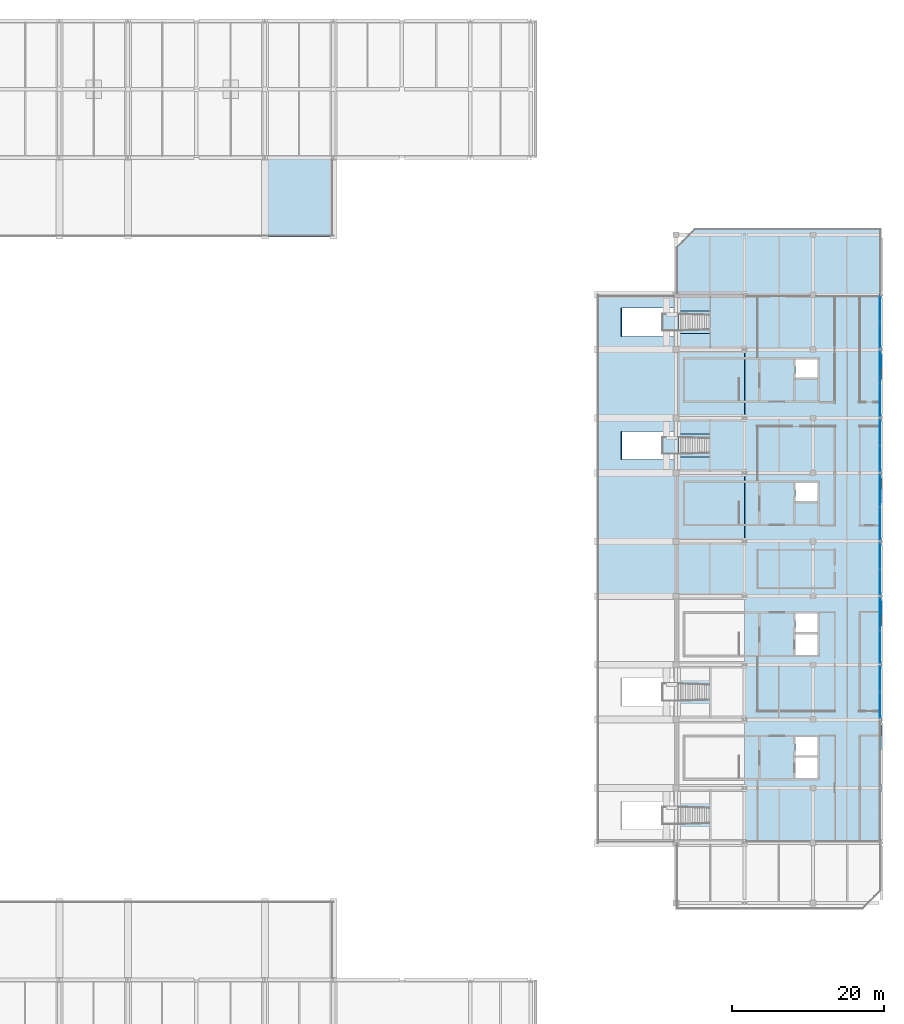
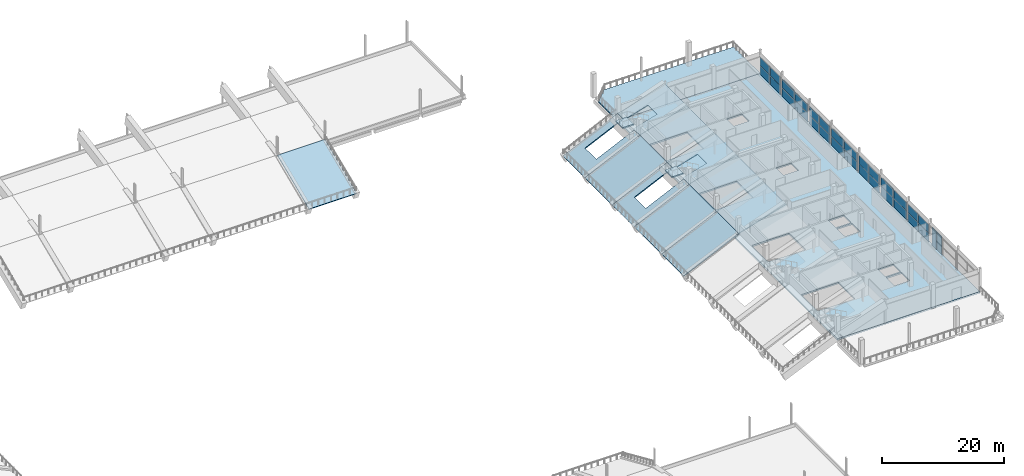
# One storey, part 44 of 66: 36 plates, 15 slabs, 7 elements without a shape of their own.
"""IFC4 building model written with IfcOpenShell, lengths in metres."""

from ifc_helpers import new_model, si_unit, direction, frame, origin, origin_2d, place, context, subcontext, project, spatial, polyline, rectangle, outline, extrude, material, layer, layer_set, type_object, element, aggregate, save


model = new_model("IFC4")

# Units and contexts
model_context = context("Model", 3, precision=1e-05, world=origin(), true_north=direction((0.0, 1.0)))
body_context = subcontext(model_context, "Body", "Model", "MODEL_VIEW")
ifc_project = project(units=[si_unit("LENGTHUNIT", "METRE"), si_unit("AREAUNIT", "SQUARE_METRE"), si_unit("VOLUMEUNIT", "CUBIC_METRE"), si_unit("PLANEANGLEUNIT", "RADIAN"), si_unit("MASSUNIT", "GRAM", prefix="KILO"), si_unit("THERMODYNAMICTEMPERATUREUNIT", "KELVIN"), si_unit("POWERUNIT", "WATT")], contexts=[model_context])

# Site, building, storey
site_placement = place(None, origin())
site = spatial("IfcSite", under=ifc_project, at=site_placement, CompositionType="ELEMENT")
building_placement = place(site_placement, origin())
building = spatial("IfcBuilding", under=site, at=building_placement, Name="Sindhuravela Promenade Stadium", CompositionType="ELEMENT")
storey_placement = place(building_placement, frame((0.0, 0.0, 19.199951171875)))
storey = spatial("IfcBuildingStorey", under=building, at=storey_placement, Name="L04", CompositionType="ELEMENT", Elevation=19.199951171875)

# Plates
ifc_material_1 = material(Name="Perforated terracotta celosia brick (15 MPa)", Category="masonry")
ifc_layer_1 = layer(ifc_material_1, 0.090087890625)
ifc_layer_set_1 = layer_set([ifc_layer_1], Name="Perforated terracotta celosia brick (15 MPa)")
plate_type_1 = type_object("IfcPlateType", Name="CL-SCR-01", PredefinedType="USERDEFINED", material=ifc_layer_set_1)
for number, where, z_axis, x_axis, name in (
    (1, (206.8798828125, 90.4951171875, 0.0), (0.0, 0.0, 1.0), (0.0, -1.0, 0.0), "Perforated brick celosia screen EAST L04-132"),
    (2, (206.8798828125, 58.094970703125, 0.0), (0.0, 0.0, 1.0), (0.0, -1.0, 0.0), "Perforated brick celosia screen EAST L04-136"),
):
    element("IfcPlate", number, at=place(storey_placement, frame(where, z_axis=z_axis, x_axis=x_axis)), inside=storey, type_object=plate_type_1, Name=name, ObjectType="SCREEN PANEL", PredefinedType="USERDEFINED", context=body_context, shape_type="SweptSolid", body=[
        extrude(rectangle(XDim=1.56005859375, YDim=0.090087890625, at=origin_2d()), origin(), (0.0, 0.0, 1.0), 3.580078125),
    ])
ifc_layer_2 = layer(ifc_material_1, 0.114990234375)
ifc_layer_set_2 = layer_set([ifc_layer_2], Name="Perforated terracotta celosia brick (15 MPa)")
plate_type_2 = type_object("IfcPlateType", Name="CL-SCR-02", PredefinedType="USERDEFINED", material=ifc_layer_set_2)
for number, where, z_axis, x_axis, name in (
    (3, (206.8798828125, 108.294921875, 0.0), (0.0, 0.0, 1.0), (0.0, -1.0, 0.0), "Perforated brick celosia screen EAST L04-129"),
    (4, (206.8798828125, 75.89501953125, 0.0), (0.0, 0.0, 1.0), (0.0, -1.0, 0.0), "Perforated brick celosia screen EAST L04-133"),
):
    element("IfcPlate", number, at=place(storey_placement, frame(where, z_axis=z_axis, x_axis=x_axis)), inside=storey, type_object=plate_type_2, Name=name, ObjectType="SCREEN PANEL", PredefinedType="USERDEFINED", context=body_context, shape_type="SweptSolid", body=[
        extrude(rectangle(XDim=1.56005859375, YDim=0.114990234375, at=origin_2d()), origin(), (0.0, 0.0, 1.0), 3.580078125),
    ])
ifc_layer_3 = layer(ifc_material_1, 0.139892578125)
ifc_layer_set_3 = layer_set([ifc_layer_3], Name="Perforated terracotta celosia brick (15 MPa)")
plate_type_3 = type_object("IfcPlateType", Name="CL-SCR-03", PredefinedType="USERDEFINED", material=ifc_layer_set_3)
for number, where, z_axis, x_axis, name in (
    (5, (206.8798828125, 106.695068359375, 0.0), (0.0, 0.0, 1.0), (0.0, -1.0, 0.0), "Perforated brick celosia screen EAST L04-130"),
    (6, (206.8798828125, 74.294921875, 0.0), (0.0, 0.0, 1.0), (0.0, -1.0, 0.0), "Perforated brick celosia screen EAST L04-134"),
):
    element("IfcPlate", number, at=place(storey_placement, frame(where, z_axis=z_axis, x_axis=x_axis)), inside=storey, type_object=plate_type_3, Name=name, ObjectType="SCREEN PANEL", PredefinedType="USERDEFINED", context=body_context, shape_type="SweptSolid", body=[
        extrude(rectangle(XDim=1.56005859375, YDim=0.139892578125, at=origin_2d()), origin(), (0.0, 0.0, 1.0), 3.580078125),
    ])
ifc_layer_4 = layer(ifc_material_1, 0.1650390625)
ifc_layer_set_4 = layer_set([ifc_layer_4], Name="Perforated terracotta celosia brick (15 MPa)")
plate_type_4 = type_object("IfcPlateType", Name="CL-SCR-04", PredefinedType="USERDEFINED", material=ifc_layer_set_4)
for number, where, z_axis, x_axis, name in (
    (7, (206.8798828125, 92.094970703125, 0.0), (0.0, 0.0, 1.0), (0.0, -1.0, 0.0), "Perforated brick celosia screen EAST L04-131"),
    (8, (206.8798828125, 59.695068359375, 0.0), (0.0, 0.0, 1.0), (0.0, -1.0, 0.0), "Perforated brick celosia screen EAST L04-135"),
):
    element("IfcPlate", number, at=place(storey_placement, frame(where, z_axis=z_axis, x_axis=x_axis)), inside=storey, type_object=plate_type_4, Name=name, ObjectType="SCREEN PANEL", PredefinedType="USERDEFINED", context=body_context, shape_type="SweptSolid", body=[
        extrude(rectangle(XDim=1.56005859375, YDim=0.1650390625, at=origin_2d()), origin(), (0.0, 0.0, 1.0), 3.580078125),
    ])

# Curtain wall, plates
ifc_material_2 = material(Name="Anodised architectural aluminium 6063-T6", Category="aluminium")
curtain_wall_type_1 = type_object("IfcCurtainWallType", Name="CW-MOD-3", PredefinedType="NOTDEFINED", material=ifc_material_2)
curtain_wall_1_placement = place(storey_placement, origin())
curtain_wall_1 = element("IfcCurtainWall", 9, at=curtain_wall_1_placement, inside=storey, type_object=curtain_wall_type_1, Name="Bronze curtain wall CW-EAST-L04-130", PredefinedType="NOTDEFINED")
ifc_material_3 = material(Name="Tempered laminated low-E glass", Category="glass")
ifc_layer_5 = layer(ifc_material_3, 0.028076171875)
ifc_layer_set_5 = layer_set([ifc_layer_5], Name="Tempered laminated low-E glass")
plate_type_5 = type_object("IfcPlateType", Name="CW-PNL-01", PredefinedType="CURTAIN_PANEL", material=ifc_layer_set_5)
plate_1_placement = place(storey_placement, frame((206.800048828125, 107.449951171875, 0.01513671875), z_axis=(0.0, 0.0, 1.0), x_axis=(0.0, -1.0, 0.0)))
plate_1 = element("IfcPlate", 10, at=plate_1_placement, type_object=plate_type_5, Name="Glazed curtain panel CW-EAST-L04-130-P1.1", PredefinedType="CURTAIN_PANEL", context=body_context, shape_type="SweptSolid", body=[
    extrude(rectangle(XDim=4.239990234375, YDim=0.028076171875, at=origin_2d()), origin(), (0.0, 0.0, 1.0), 1.760009765625),
])
plate_2_placement = place(storey_placement, frame((206.800048828125, 107.449951171875, 1.80517578125), z_axis=(0.0, 0.0, 1.0), x_axis=(0.0, -1.0, 0.0)))
plate_2 = element("IfcPlate", 11, at=plate_2_placement, type_object=plate_type_5, Name="Glazed curtain panel CW-EAST-L04-130-P1.2", PredefinedType="CURTAIN_PANEL", context=body_context, shape_type="SweptSolid", body=[
    extrude(rectangle(XDim=4.239990234375, YDim=0.028076171875, at=origin_2d()), origin(), (0.0, 0.0, 1.0), 1.679931640625),
])
plate_3_placement = place(storey_placement, frame((206.800048828125, 103.14990234375, 0.01513671875), z_axis=(0.0, 0.0, 1.0), x_axis=(0.0, -1.0, 0.0)))
plate_3 = element("IfcPlate", 12, at=plate_3_placement, type_object=plate_type_5, Name="Glazed curtain panel CW-EAST-L04-130-P2.1", PredefinedType="CURTAIN_PANEL", context=body_context, shape_type="SweptSolid", body=[
    extrude(rectangle(XDim=4.239990234375, YDim=0.028076171875, at=origin_2d()), origin(), (0.0, 0.0, 1.0), 1.760009765625),
])
plate_4_placement = place(storey_placement, frame((206.800048828125, 103.14990234375, 1.80517578125), z_axis=(0.0, 0.0, 1.0), x_axis=(0.0, -1.0, 0.0)))
plate_4 = element("IfcPlate", 13, at=plate_4_placement, type_object=plate_type_5, Name="Glazed curtain panel CW-EAST-L04-130-P2.2", PredefinedType="CURTAIN_PANEL", context=body_context, shape_type="SweptSolid", body=[
    extrude(rectangle(XDim=4.239990234375, YDim=0.028076171875, at=origin_2d()), origin(), (0.0, 0.0, 1.0), 1.679931640625),
])
aggregate(curtain_wall_1, [plate_1, plate_2, plate_3, plate_4])

curtain_wall_type_2 = type_object("IfcCurtainWallType", Name="CW-MOD-5", PredefinedType="NOTDEFINED", material=ifc_material_2)
curtain_wall_2_placement = place(storey_placement, origin())
curtain_wall_2 = element("IfcCurtainWall", 14, at=curtain_wall_2_placement, inside=storey, type_object=curtain_wall_type_2, Name="Bronze curtain wall CW-EAST-L04-132", PredefinedType="NOTDEFINED")
plate_5_placement = place(storey_placement, frame((206.800048828125, 91.25, 0.01513671875), z_axis=(0.0, 0.0, 1.0), x_axis=(0.0, -1.0, 0.0)))
plate_5 = element("IfcPlate", 15, at=plate_5_placement, type_object=plate_type_5, Name="Glazed curtain panel CW-EAST-L04-132-P1.1", PredefinedType="CURTAIN_PANEL", context=body_context, shape_type="SweptSolid", body=[
    extrude(rectangle(XDim=4.239990234375, YDim=0.028076171875, at=origin_2d()), origin(), (0.0, 0.0, 1.0), 1.760009765625),
])
plate_6_placement = place(storey_placement, frame((206.800048828125, 91.25, 1.80517578125), z_axis=(0.0, 0.0, 1.0), x_axis=(0.0, -1.0, 0.0)))
plate_6 = element("IfcPlate", 16, at=plate_6_placement, type_object=plate_type_5, Name="Glazed curtain panel CW-EAST-L04-132-P1.2", PredefinedType="CURTAIN_PANEL", context=body_context, shape_type="SweptSolid", body=[
    extrude(rectangle(XDim=4.239990234375, YDim=0.028076171875, at=origin_2d()), origin(), (0.0, 0.0, 1.0), 1.679931640625),
])
plate_7_placement = place(storey_placement, frame((206.800048828125, 86.949951171875, 0.01513671875), z_axis=(0.0, 0.0, 1.0), x_axis=(0.0, -1.0, 0.0)))
plate_7 = element("IfcPlate", 17, at=plate_7_placement, type_object=plate_type_5, Name="Glazed curtain panel CW-EAST-L04-132-P2.1", PredefinedType="CURTAIN_PANEL", context=body_context, shape_type="SweptSolid", body=[
    extrude(rectangle(XDim=4.239990234375, YDim=0.028076171875, at=origin_2d()), origin(), (0.0, 0.0, 1.0), 1.760009765625),
])
plate_8_placement = place(storey_placement, frame((206.800048828125, 86.949951171875, 1.80517578125), z_axis=(0.0, 0.0, 1.0), x_axis=(0.0, -1.0, 0.0)))
plate_8 = element("IfcPlate", 18, at=plate_8_placement, type_object=plate_type_5, Name="Glazed curtain panel CW-EAST-L04-132-P2.2", PredefinedType="CURTAIN_PANEL", context=body_context, shape_type="SweptSolid", body=[
    extrude(rectangle(XDim=4.239990234375, YDim=0.028076171875, at=origin_2d()), origin(), (0.0, 0.0, 1.0), 1.679931640625),
])
aggregate(curtain_wall_2, [plate_5, plate_6, plate_7, plate_8])

curtain_wall_type_3 = type_object("IfcCurtainWallType", Name="CW-MOD-7", PredefinedType="NOTDEFINED", material=ifc_material_2)
curtain_wall_3_placement = place(storey_placement, origin())
curtain_wall_3 = element("IfcCurtainWall", 19, at=curtain_wall_3_placement, inside=storey, type_object=curtain_wall_type_3, Name="Bronze curtain wall CW-EAST-L04-134", PredefinedType="NOTDEFINED")
plate_9_placement = place(storey_placement, frame((206.800048828125, 75.050048828125, 0.01513671875), z_axis=(0.0, 0.0, 1.0), x_axis=(0.0, -1.0, 0.0)))
plate_9 = element("IfcPlate", 20, at=plate_9_placement, type_object=plate_type_5, Name="Glazed curtain panel CW-EAST-L04-134-P1.1", PredefinedType="CURTAIN_PANEL", context=body_context, shape_type="SweptSolid", body=[
    extrude(rectangle(XDim=4.239990234375, YDim=0.028076171875, at=origin_2d()), origin(), (0.0, 0.0, 1.0), 1.760009765625),
])
plate_10_placement = place(storey_placement, frame((206.800048828125, 75.050048828125, 1.80517578125), z_axis=(0.0, 0.0, 1.0), x_axis=(0.0, -1.0, 0.0)))
plate_10 = element("IfcPlate", 21, at=plate_10_placement, type_object=plate_type_5, Name="Glazed curtain panel CW-EAST-L04-134-P1.2", PredefinedType="CURTAIN_PANEL", context=body_context, shape_type="SweptSolid", body=[
    extrude(rectangle(XDim=4.239990234375, YDim=0.028076171875, at=origin_2d()), origin(), (0.0, 0.0, 1.0), 1.679931640625),
])
plate_11_placement = place(storey_placement, frame((206.800048828125, 70.75, 0.01513671875), z_axis=(0.0, 0.0, 1.0), x_axis=(0.0, -1.0, 0.0)))
plate_11 = element("IfcPlate", 22, at=plate_11_placement, type_object=plate_type_5, Name="Glazed curtain panel CW-EAST-L04-134-P2.1", PredefinedType="CURTAIN_PANEL", context=body_context, shape_type="SweptSolid", body=[
    extrude(rectangle(XDim=4.239990234375, YDim=0.028076171875, at=origin_2d()), origin(), (0.0, 0.0, 1.0), 1.760009765625),
])
plate_12_placement = place(storey_placement, frame((206.800048828125, 70.75, 1.80517578125), z_axis=(0.0, 0.0, 1.0), x_axis=(0.0, -1.0, 0.0)))
plate_12 = element("IfcPlate", 23, at=plate_12_placement, type_object=plate_type_5, Name="Glazed curtain panel CW-EAST-L04-134-P2.2", PredefinedType="CURTAIN_PANEL", context=body_context, shape_type="SweptSolid", body=[
    extrude(rectangle(XDim=4.239990234375, YDim=0.028076171875, at=origin_2d()), origin(), (0.0, 0.0, 1.0), 1.679931640625),
])
aggregate(curtain_wall_3, [plate_9, plate_10, plate_11, plate_12])

curtain_wall_type_4 = type_object("IfcCurtainWallType", Name="CW-MOD-2", PredefinedType="NOTDEFINED", material=ifc_material_2)
curtain_wall_4_placement = place(storey_placement, origin())
curtain_wall_4 = element("IfcCurtainWall", 24, at=curtain_wall_4_placement, inside=storey, type_object=curtain_wall_type_4, Name="Bronze curtain wall CW-EAST-L04-129", PredefinedType="NOTDEFINED")
ifc_layer_6 = layer(ifc_material_3, 0.0400390625)
ifc_layer_set_6 = layer_set([ifc_layer_6], Name="Tempered laminated low-E glass")
plate_type_6 = type_object("IfcPlateType", Name="CW-PNL-02", PredefinedType="CURTAIN_PANEL", material=ifc_layer_set_6)
plate_13_placement = place(storey_placement, frame((206.800048828125, 115.066162109375, 0.01513671875), z_axis=(0.0, 0.0, 1.0), x_axis=(0.0, -1.0, 0.0)))
plate_13 = element("IfcPlate", 25, at=plate_13_placement, type_object=plate_type_6, Name="Glazed curtain panel CW-EAST-L04-129-P1.1", PredefinedType="CURTAIN_PANEL", context=body_context, shape_type="SweptSolid", body=[
    extrude(rectangle(XDim=3.31689453125, YDim=0.0400390625, at=origin_2d()), origin(), (0.0, 0.0, 1.0), 1.760009765625),
])
plate_14_placement = place(storey_placement, frame((206.800048828125, 115.066162109375, 1.80517578125), z_axis=(0.0, 0.0, 1.0), x_axis=(0.0, -1.0, 0.0)))
plate_14 = element("IfcPlate", 26, at=plate_14_placement, type_object=plate_type_6, Name="Glazed curtain panel CW-EAST-L04-129-P1.2", PredefinedType="CURTAIN_PANEL", context=body_context, shape_type="SweptSolid", body=[
    extrude(rectangle(XDim=3.31689453125, YDim=0.0400390625, at=origin_2d()), origin(), (0.0, 0.0, 1.0), 1.679931640625),
])
plate_15_placement = place(storey_placement, frame((206.800048828125, 111.688720703125, 0.01513671875), z_axis=(0.0, 0.0, 1.0), x_axis=(0.0, -1.0, 0.0)))
plate_15 = element("IfcPlate", 27, at=plate_15_placement, type_object=plate_type_6, Name="Glazed curtain panel CW-EAST-L04-129-P2.1", PredefinedType="CURTAIN_PANEL", context=body_context, shape_type="SweptSolid", body=[
    extrude(rectangle(XDim=3.31689453125, YDim=0.0400390625, at=origin_2d()), origin(), (0.0, 0.0, 1.0), 1.760009765625),
])
plate_16_placement = place(storey_placement, frame((206.800048828125, 111.688720703125, 1.80517578125), z_axis=(0.0, 0.0, 1.0), x_axis=(0.0, -1.0, 0.0)))
plate_16 = element("IfcPlate", 28, at=plate_16_placement, type_object=plate_type_6, Name="Glazed curtain panel CW-EAST-L04-129-P2.2", PredefinedType="CURTAIN_PANEL", context=body_context, shape_type="SweptSolid", body=[
    extrude(rectangle(XDim=3.31689453125, YDim=0.0400390625, at=origin_2d()), origin(), (0.0, 0.0, 1.0), 1.679931640625),
])
aggregate(curtain_wall_4, [plate_13, plate_14, plate_15, plate_16])

curtain_wall_type_5 = type_object("IfcCurtainWallType", Name="CW-MOD-4", PredefinedType="NOTDEFINED", material=ifc_material_2)
curtain_wall_5_placement = place(storey_placement, origin())
curtain_wall_5 = element("IfcCurtainWall", 29, at=curtain_wall_5_placement, inside=storey, type_object=curtain_wall_type_5, Name="Bronze curtain wall CW-EAST-L04-131", PredefinedType="NOTDEFINED")
plate_17_placement = place(storey_placement, frame((206.800048828125, 98.89990234375, 0.01513671875), z_axis=(0.0, 0.0, 1.0), x_axis=(0.0, -1.0, 0.0)))
plate_17 = element("IfcPlate", 30, at=plate_17_placement, type_object=plate_type_6, Name="Glazed curtain panel CW-EAST-L04-131-P1.1", PredefinedType="CURTAIN_PANEL", context=body_context, shape_type="SweptSolid", body=[
    extrude(rectangle(XDim=3.340087890625, YDim=0.0400390625, at=origin_2d()), origin(), (0.0, 0.0, 1.0), 1.760009765625),
])
plate_18_placement = place(storey_placement, frame((206.800048828125, 98.89990234375, 1.80517578125), z_axis=(0.0, 0.0, 1.0), x_axis=(0.0, -1.0, 0.0)))
plate_18 = element("IfcPlate", 31, at=plate_18_placement, type_object=plate_type_6, Name="Glazed curtain panel CW-EAST-L04-131-P1.2", PredefinedType="CURTAIN_PANEL", context=body_context, shape_type="SweptSolid", body=[
    extrude(rectangle(XDim=3.340087890625, YDim=0.0400390625, at=origin_2d()), origin(), (0.0, 0.0, 1.0), 1.679931640625),
])
plate_19_placement = place(storey_placement, frame((206.800048828125, 95.5, 0.01513671875), z_axis=(0.0, 0.0, 1.0), x_axis=(0.0, -1.0, 0.0)))
plate_19 = element("IfcPlate", 32, at=plate_19_placement, type_object=plate_type_6, Name="Glazed curtain panel CW-EAST-L04-131-P2.1", PredefinedType="CURTAIN_PANEL", context=body_context, shape_type="SweptSolid", body=[
    extrude(rectangle(XDim=3.340087890625, YDim=0.0400390625, at=origin_2d()), origin(), (0.0, 0.0, 1.0), 1.760009765625),
])
plate_20_placement = place(storey_placement, frame((206.800048828125, 95.5, 1.80517578125), z_axis=(0.0, 0.0, 1.0), x_axis=(0.0, -1.0, 0.0)))
plate_20 = element("IfcPlate", 33, at=plate_20_placement, type_object=plate_type_6, Name="Glazed curtain panel CW-EAST-L04-131-P2.2", PredefinedType="CURTAIN_PANEL", context=body_context, shape_type="SweptSolid", body=[
    extrude(rectangle(XDim=3.340087890625, YDim=0.0400390625, at=origin_2d()), origin(), (0.0, 0.0, 1.0), 1.679931640625),
])
aggregate(curtain_wall_5, [plate_17, plate_18, plate_19, plate_20])

curtain_wall_type_6 = type_object("IfcCurtainWallType", Name="CW-MOD-6", PredefinedType="NOTDEFINED", material=ifc_material_2)
curtain_wall_6_placement = place(storey_placement, origin())
curtain_wall_6 = element("IfcCurtainWall", 34, at=curtain_wall_6_placement, inside=storey, type_object=curtain_wall_type_6, Name="Bronze curtain wall CW-EAST-L04-133", PredefinedType="NOTDEFINED")
plate_21_placement = place(storey_placement, frame((206.800048828125, 82.699951171875, 0.01513671875), z_axis=(0.0, 0.0, 1.0), x_axis=(0.0, -1.0, 0.0)))
plate_21 = element("IfcPlate", 35, at=plate_21_placement, type_object=plate_type_6, Name="Glazed curtain panel CW-EAST-L04-133-P1.1", PredefinedType="CURTAIN_PANEL", context=body_context, shape_type="SweptSolid", body=[
    extrude(rectangle(XDim=3.340087890625, YDim=0.0400390625, at=origin_2d()), origin(), (0.0, 0.0, 1.0), 1.760009765625),
])
plate_22_placement = place(storey_placement, frame((206.800048828125, 82.699951171875, 1.80517578125), z_axis=(0.0, 0.0, 1.0), x_axis=(0.0, -1.0, 0.0)))
plate_22 = element("IfcPlate", 36, at=plate_22_placement, type_object=plate_type_6, Name="Glazed curtain panel CW-EAST-L04-133-P1.2", PredefinedType="CURTAIN_PANEL", context=body_context, shape_type="SweptSolid", body=[
    extrude(rectangle(XDim=3.340087890625, YDim=0.0400390625, at=origin_2d()), origin(), (0.0, 0.0, 1.0), 1.679931640625),
])
plate_23_placement = place(storey_placement, frame((206.800048828125, 79.300048828125, 0.01513671875), z_axis=(0.0, 0.0, 1.0), x_axis=(0.0, -1.0, 0.0)))
plate_23 = element("IfcPlate", 37, at=plate_23_placement, type_object=plate_type_6, Name="Glazed curtain panel CW-EAST-L04-133-P2.1", PredefinedType="CURTAIN_PANEL", context=body_context, shape_type="SweptSolid", body=[
    extrude(rectangle(XDim=3.340087890625, YDim=0.0400390625, at=origin_2d()), origin(), (0.0, 0.0, 1.0), 1.760009765625),
])
plate_24_placement = place(storey_placement, frame((206.800048828125, 79.300048828125, 1.80517578125), z_axis=(0.0, 0.0, 1.0), x_axis=(0.0, -1.0, 0.0)))
plate_24 = element("IfcPlate", 38, at=plate_24_placement, type_object=plate_type_6, Name="Glazed curtain panel CW-EAST-L04-133-P2.2", PredefinedType="CURTAIN_PANEL", context=body_context, shape_type="SweptSolid", body=[
    extrude(rectangle(XDim=3.340087890625, YDim=0.0400390625, at=origin_2d()), origin(), (0.0, 0.0, 1.0), 1.679931640625),
])
aggregate(curtain_wall_6, [plate_21, plate_22, plate_23, plate_24])

curtain_wall_type_7 = type_object("IfcCurtainWallType", Name="CW-MOD-8", PredefinedType="NOTDEFINED", material=ifc_material_2)
curtain_wall_7_placement = place(storey_placement, origin())
curtain_wall_7 = element("IfcCurtainWall", 39, at=curtain_wall_7_placement, inside=storey, type_object=curtain_wall_type_7, Name="Bronze curtain wall CW-EAST-L04-135", PredefinedType="NOTDEFINED")
plate_25_placement = place(storey_placement, frame((206.800048828125, 66.5, 0.01513671875), z_axis=(0.0, 0.0, 1.0), x_axis=(0.0, -1.0, 0.0)))
plate_25 = element("IfcPlate", 40, at=plate_25_placement, type_object=plate_type_6, Name="Glazed curtain panel CW-EAST-L04-135-P1.1", PredefinedType="CURTAIN_PANEL", context=body_context, shape_type="SweptSolid", body=[
    extrude(rectangle(XDim=3.340087890625, YDim=0.0400390625, at=origin_2d()), origin(), (0.0, 0.0, 1.0), 1.760009765625),
])
plate_26_placement = place(storey_placement, frame((206.800048828125, 66.5, 1.80517578125), z_axis=(0.0, 0.0, 1.0), x_axis=(0.0, -1.0, 0.0)))
plate_26 = element("IfcPlate", 41, at=plate_26_placement, type_object=plate_type_6, Name="Glazed curtain panel CW-EAST-L04-135-P1.2", PredefinedType="CURTAIN_PANEL", context=body_context, shape_type="SweptSolid", body=[
    extrude(rectangle(XDim=3.340087890625, YDim=0.0400390625, at=origin_2d()), origin(), (0.0, 0.0, 1.0), 1.679931640625),
])
plate_27_placement = place(storey_placement, frame((206.800048828125, 63.10009765625, 0.01513671875), z_axis=(0.0, 0.0, 1.0), x_axis=(0.0, -1.0, 0.0)))
plate_27 = element("IfcPlate", 42, at=plate_27_placement, type_object=plate_type_6, Name="Glazed curtain panel CW-EAST-L04-135-P2.1", PredefinedType="CURTAIN_PANEL", context=body_context, shape_type="SweptSolid", body=[
    extrude(rectangle(XDim=3.340087890625, YDim=0.0400390625, at=origin_2d()), origin(), (0.0, 0.0, 1.0), 1.760009765625),
])
plate_28_placement = place(storey_placement, frame((206.800048828125, 63.10009765625, 1.80517578125), z_axis=(0.0, 0.0, 1.0), x_axis=(0.0, -1.0, 0.0)))
plate_28 = element("IfcPlate", 43, at=plate_28_placement, type_object=plate_type_6, Name="Glazed curtain panel CW-EAST-L04-135-P2.2", PredefinedType="CURTAIN_PANEL", context=body_context, shape_type="SweptSolid", body=[
    extrude(rectangle(XDim=3.340087890625, YDim=0.0400390625, at=origin_2d()), origin(), (0.0, 0.0, 1.0), 1.679931640625),
])
aggregate(curtain_wall_7, [plate_25, plate_26, plate_27, plate_28])

# Slabs
ifc_material_4 = material(Name="Concrete M40", Category="concrete")
ifc_layer_7 = layer(ifc_material_4, 0.25)
ifc_layer_set_7 = layer_set([ifc_layer_7], Name="Concrete M40")
slab_type_1 = type_object("IfcSlabType", Name="SL-FLR-250", PredefinedType="FLOOR", material=ifc_layer_set_7)
slab_1_placement = place(storey_placement, frame((0.0, 0.0, 1.85009765625)))
element("IfcSlab", 44, at=slab_1_placement, inside=storey, type_object=slab_type_1, Name="Vomitory VS16 tier landing slab", PredefinedType="FLOOR", context=body_context, shape_type="SweptSolid", body=[
    extrude(outline(polyline([(180.320556640625, 98.3701171875), (178.169921875, 98.3701171875), (178.169921875, 96.030029296875), (180.320556640625, 96.030029296875), (180.320556640625, 98.3701171875)])), origin(), (0.0, 0.0, 1.0), 0.25),
])
slab_2_placement = place(storey_placement, frame((0.0, 0.0, 1.85009765625)))
element("IfcSlab", 45, at=slab_2_placement, inside=storey, type_object=slab_type_1, Name="Vomitory CS04 tier landing slab", PredefinedType="FLOOR", context=body_context, shape_type="SweptSolid", body=[
    extrude(outline(polyline([(180.320556640625, 114.570068359375), (178.169921875, 114.570068359375), (178.169921875, 112.22998046875), (180.320556640625, 112.22998046875), (180.320556640625, 114.570068359375)])), origin(), (0.0, 0.0, 1.0), 0.25),
])
ifc_layer_8 = layer(ifc_material_4, 0.320068359375)
ifc_layer_set_8 = layer_set([ifc_layer_8], Name="Concrete M40")
slab_type_2 = type_object("IfcSlabType", Name="SL-FLR-320", PredefinedType="FLOOR", material=ifc_layer_set_8)
slab_3_placement = place(storey_placement, frame((0.0, 0.0, -0.320068359375)))
element("IfcSlab", 46, at=slab_3_placement, inside=storey, type_object=slab_type_2, Name="Floor slab EAST L04", PredefinedType="FLOOR", context=body_context, shape_type="SweptSolid", body=[
    extrude(outline(polyline([(180.0, 45.0), (207.0, 45.0), (207.0, 117.0), (180.0, 117.0), (180.0, 45.0)]), holes=[polyline([(181.199951171875, 53.5), (188.249267578125, 53.5), (188.249267578125, 58.89990234375), (181.199951171875, 58.89990234375), (181.199951171875, 53.5)]), polyline([(195.699951171875, 56.5), (198.60009765625, 56.5), (198.60009765625, 58.89990234375), (195.699951171875, 58.89990234375), (195.699951171875, 56.5)]), polyline([(195.699951171875, 53.5), (198.60009765625, 53.5), (198.60009765625, 56.199951171875), (195.699951171875, 56.199951171875), (195.699951171875, 53.5)]), polyline([(181.199951171875, 69.699951171875), (188.249267578125, 69.699951171875), (188.249267578125, 75.10009765625), (181.199951171875, 75.10009765625), (181.199951171875, 69.699951171875)]), polyline([(195.699951171875, 72.699951171875), (198.60009765625, 72.699951171875), (198.60009765625, 75.10009765625), (195.699951171875, 75.10009765625), (195.699951171875, 72.699951171875)]), polyline([(195.699951171875, 69.699951171875), (198.60009765625, 69.699951171875), (198.60009765625, 72.39990234375), (195.699951171875, 72.39990234375), (195.699951171875, 69.699951171875)]), polyline([(181.199951171875, 86.89990234375), (188.249267578125, 86.89990234375), (188.249267578125, 92.300048828125), (181.199951171875, 92.300048828125), (181.199951171875, 86.89990234375)]), polyline([(195.699951171875, 89.89990234375), (198.60009765625, 89.89990234375), (198.60009765625, 92.300048828125), (195.699951171875, 92.300048828125), (195.699951171875, 89.89990234375)]), polyline([(181.199951171875, 103.10009765625), (188.249267578125, 103.10009765625), (188.249267578125, 108.5), (181.199951171875, 108.5), (181.199951171875, 103.10009765625)]), polyline([(195.699951171875, 106.10009765625), (198.60009765625, 106.10009765625), (198.60009765625, 108.5), (195.699951171875, 108.5), (195.699951171875, 106.10009765625)])]), origin(), (0.0, 0.0, 1.0), 0.320068359375),
])
ifc_layer_9 = layer(ifc_material_4, 0.27001953125)
ifc_layer_set_9 = layer_set([ifc_layer_9], Name="Concrete M40")
slab_type_3 = type_object("IfcSlabType", Name="SL-TER-270", PredefinedType="FLOOR", material=ifc_layer_set_9)
slab_4_placement = place(storey_placement, frame((0.0, 0.0, -0.27001953125)))
element("IfcSlab", 47, at=slab_4_placement, inside=storey, type_object=slab_type_3, Name="East Upper North Planted Roof Garden", PredefinedType="FLOOR", context=body_context, shape_type="SweptSolid", body=[
    extrude(outline(polyline([(180.0, 117.0), (207.0, 117.0), (207.0, 125.75), (182.449951171875, 125.75), (180.0, 123.300048828125), (180.0, 117.0)])), origin(), (0.0, 0.0, 1.0), 0.27001953125),
])
ifc_material_5 = material(Name="Precast concrete M50", Category="concrete")
ifc_layer_10 = layer(ifc_material_5, 0.159912109375)
ifc_layer_set_10 = layer_set([ifc_layer_10], Name="Precast concrete M50")
slab_type_4 = type_object("IfcSlabType", Name="SL-TR2-160", PredefinedType="USERDEFINED", material=ifc_layer_set_10)
slab_5_placement = place(storey_placement, frame((180.0, 84.60009765625, 1.449951171875), z_axis=(-0.2873669552676956, 0.0, 0.9578205641038274), x_axis=(0.0, -1.0, 0.0)))
element("IfcSlab", 48, at=slab_5_placement, inside=storey, type_object=slab_type_4, Name="Stand upper tier East rear bay 39", ObjectType="SEATING TIER", PredefinedType="USERDEFINED", context=body_context, shape_type="SweptSolid", body=[
    extrude(outline(polyline([(0.0, 0.0), (7.2001953125, 0.0), (7.2001953125, 9.396331982515676), (0.0, 9.396331982515676), (0.0, 0.0)])), origin(), (0.0, 0.0, -1.0), 0.159912109375),
])
slab_6_placement = place(storey_placement, frame((180.0, 93.60009765625, 1.449951171875), z_axis=(-0.2873669552676956, 0.0, 0.9578205641038274), x_axis=(0.0, -1.0, 0.0)))
element("IfcSlab", 49, at=slab_6_placement, inside=storey, type_object=slab_type_4, Name="Stand upper tier East rear bay 40", ObjectType="SEATING TIER", PredefinedType="USERDEFINED", context=body_context, shape_type="SweptSolid", body=[
    extrude(outline(polyline([(0.0, 0.0), (9.0, 0.0), (9.0, 9.396331982515676), (0.0, 9.396331982515676), (0.0, 0.0)])), origin(), (0.0, 0.0, -1.0), 0.159912109375),
])
slab_7_placement = place(storey_placement, frame((180.0, 100.800048828125, 1.449951171875), z_axis=(-0.2873669552676956, 0.0, 0.9578205641038275), x_axis=(0.0, -1.0, 0.0)))
element("IfcSlab", 50, at=slab_7_placement, inside=storey, type_object=slab_type_4, Name="Stand upper tier East rear bay 41", ObjectType="SEATING TIER", PredefinedType="USERDEFINED", context=body_context, shape_type="SweptSolid", body=[
    extrude(outline(polyline([(0.0, 0.0), (2.1201171875, 0.0), (2.1201171875, 4.698165991257838), (5.080078125, 4.698165991257838), (5.080078125, 0.0), (7.199951171875, 0.0), (7.199951171875, 9.396331982515676), (0.0, 9.396331982515676), (0.0, 0.0)])), origin(), (0.0, 0.0, -1.0), 0.159912109375),
])
slab_8_placement = place(storey_placement, frame((180.0, 109.800048828125, 1.449951171875), z_axis=(-0.2873669552676956, 0.0, 0.9578205641038274), x_axis=(0.0, -1.0, 0.0)))
element("IfcSlab", 51, at=slab_8_placement, inside=storey, type_object=slab_type_4, Name="Stand upper tier East rear bay 42", ObjectType="SEATING TIER", PredefinedType="USERDEFINED", context=body_context, shape_type="SweptSolid", body=[
    extrude(outline(polyline([(0.0, 0.0), (9.0, 0.0), (9.0, 9.396331982515676), (0.0, 9.396331982515676), (0.0, 0.0)])), origin(), (0.0, 0.0, -1.0), 0.159912109375),
])
slab_9_placement = place(storey_placement, frame((180.0, 117.0, 1.449951171875), z_axis=(-0.2873669552676956, 0.0, 0.9578205641038275), x_axis=(0.0, -1.0, 0.0)))
element("IfcSlab", 52, at=slab_9_placement, inside=storey, type_object=slab_type_4, Name="Stand upper tier East rear bay 43", ObjectType="SEATING TIER", PredefinedType="USERDEFINED", context=body_context, shape_type="SweptSolid", body=[
    extrude(outline(polyline([(0.0, 0.0), (2.1201171875, 0.0), (2.1201171875, 4.698165991257838), (5.080078125, 4.698165991257838), (5.080078125, 0.0), (7.199951171875, 0.0), (7.199951171875, 9.396331982515676), (0.0, 9.396331982515676), (0.0, 0.0)])), origin(), (0.0, 0.0, -1.0), 0.159912109375),
])
ifc_layer_11 = layer(ifc_material_5, 0.199951171875)
ifc_layer_set_11 = layer_set([ifc_layer_11], Name="Precast concrete M50")
slab_type_5 = type_object("IfcSlabType", Name="SL-TR2-200", PredefinedType="USERDEFINED", material=ifc_layer_set_11)
slab_10_placement = place(storey_placement, frame((169.60009765625, 84.60009765625, -3.39990234375), z_axis=(-0.42263969336375157, 0.0, 0.9062977929981922), x_axis=(0.0, -1.0, 0.0)))
element("IfcSlab", 53, at=slab_10_placement, inside=storey, type_object=slab_type_5, Name="Stand upper tier East cantilever bay 39", ObjectType="SEATING TIER", PredefinedType="USERDEFINED", context=body_context, shape_type="SweptSolid", body=[
    extrude(outline(polyline([(0.0, 0.0), (7.2001953125, 0.0), (7.2001953125, 11.475149144240213), (0.0, 11.475149144240213), (0.0, 0.0)])), origin(), (0.0, 0.0, -1.0), 0.199951171875),
])
slab_11_placement = place(storey_placement, frame((169.60009765625, 93.60009765625, -3.39990234375), z_axis=(-0.42263969336375157, 0.0, 0.9062977929981922), x_axis=(0.0, -1.0, 0.0)))
element("IfcSlab", 54, at=slab_11_placement, inside=storey, type_object=slab_type_5, Name="Stand upper tier East cantilever bay 40", ObjectType="SEATING TIER", PredefinedType="USERDEFINED", context=body_context, shape_type="SweptSolid", body=[
    extrude(outline(polyline([(0.0, 0.0), (9.0, 0.0), (9.0, 11.475149144240213), (0.0, 11.475149144240213), (0.0, 0.0)])), origin(), (0.0, 0.0, -1.0), 0.199951171875),
])
slab_12_placement = place(storey_placement, frame((169.60009765625, 100.800048828125, -3.39990234375), z_axis=(-0.4226359043102465, 0.0, 0.9062995599623009), x_axis=(0.0, -1.0, 0.0)))
element("IfcSlab", 55, at=slab_12_placement, inside=storey, type_object=slab_type_5, Name="Stand upper tier East cantilever bay 41", ObjectType="SEATING TIER", PredefinedType="USERDEFINED", context=body_context, shape_type="SweptSolid", body=[
    extrude(outline(polyline([(0.0, 0.0), (7.199951171875, 0.0), (7.199951171875, 11.475149144139928), (5.449951171875, 11.475149144139928), (5.449951171875, 3.5307663524341075), (1.75, 3.5307663524341075), (1.75, 11.475149144139928), (0.0, 11.475149144139928), (0.0, 0.0)])), origin(), (0.0, 0.0, -1.0), 0.199951171875),
])
slab_13_placement = place(storey_placement, frame((169.60009765625, 109.800048828125, -3.39990234375), z_axis=(-0.42263969336375157, 0.0, 0.9062977929981922), x_axis=(0.0, -1.0, 0.0)))
element("IfcSlab", 56, at=slab_13_placement, inside=storey, type_object=slab_type_5, Name="Stand upper tier East cantilever bay 42", ObjectType="SEATING TIER", PredefinedType="USERDEFINED", context=body_context, shape_type="SweptSolid", body=[
    extrude(outline(polyline([(0.0, 0.0), (9.0, 0.0), (9.0, 11.475149144240213), (0.0, 11.475149144240213), (0.0, 0.0)])), origin(), (0.0, 0.0, -1.0), 0.199951171875),
])
slab_14_placement = place(storey_placement, frame((169.60009765625, 117.0, -3.39990234375), z_axis=(-0.4226359043102465, 0.0, 0.9062995599623009), x_axis=(0.0, -1.0, 0.0)))
element("IfcSlab", 57, at=slab_14_placement, inside=storey, type_object=slab_type_5, Name="Stand upper tier East cantilever bay 43", ObjectType="SEATING TIER", PredefinedType="USERDEFINED", context=body_context, shape_type="SweptSolid", body=[
    extrude(outline(polyline([(0.0, 0.0), (7.199951171875, 0.0), (7.199951171875, 11.475149144139928), (5.449951171875, 11.475149144139928), (5.449951171875, 3.5307663524341075), (1.75, 3.5307663524341075), (1.75, 11.475149144139928), (0.0, 11.475149144139928), (0.0, 0.0)])), origin(), (0.0, 0.0, -1.0), 0.199951171875),
])
slab_15_placement = place(storey_placement, frame((126.0, 124.60009765625, -3.39990234375), z_axis=(0.0, -0.3971152139711803, 0.9177687654483692), x_axis=(1.0, 0.0, 0.0)))
element("IfcSlab", 58, at=slab_15_placement, inside=storey, type_object=slab_type_5, Name="Stand upper tier North cantilever bay 48", ObjectType="SEATING TIER", PredefinedType="USERDEFINED", context=body_context, shape_type="SweptSolid", body=[
    extrude(outline(polyline([(0.0, 0.0), (9.0, 0.0), (9.0, 11.331723997677349), (0.0, 11.331723997677349), (0.0, 0.0)])), origin(), (0.0, 0.0, -1.0), 0.199951171875),
])

save(model, "model.ifc")
